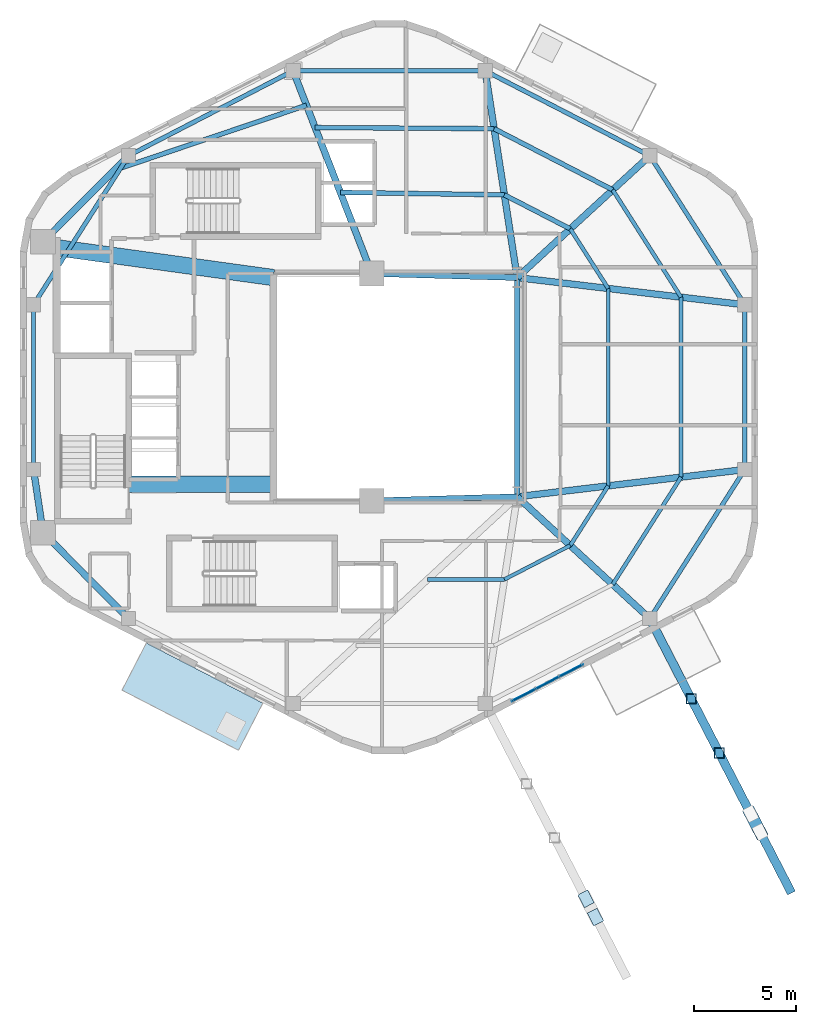
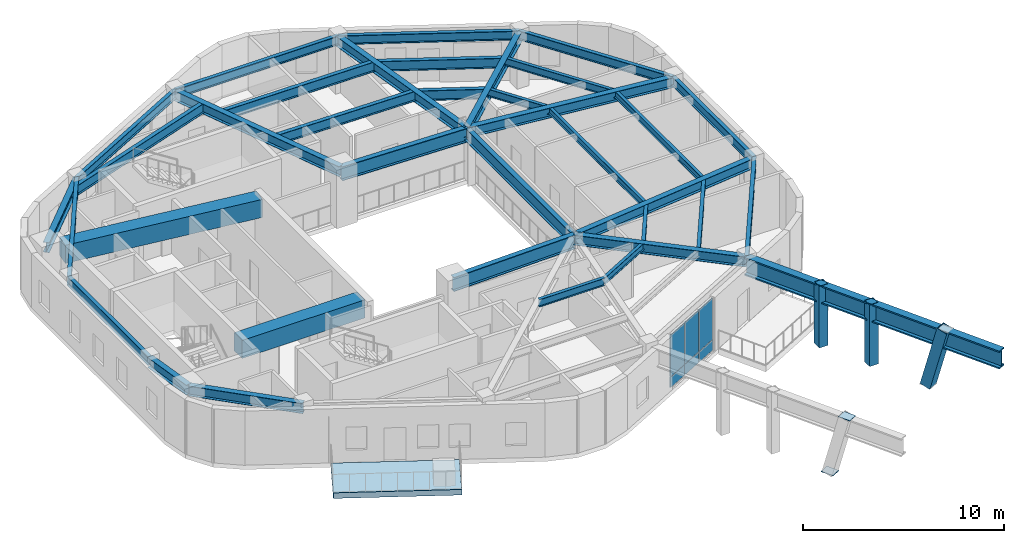
# One storey, part 4 of 10: 36 beams, 8 plates, 3 members, 1 slab, 1 element without a shape of its own.
"""IFC4 building model written with IfcOpenShell, lengths in metres."""

from ifc_helpers import new_model, si_unit, direction, frame, origin, origin_2d, place, context, subcontext, project, spatial, polyline, rectangle, hollow_rectangle, i_section, outline, extrude, material, layer, layer_set, material_profile, profile_set, type_object, element, aggregate, save


model = new_model("IFC4")

# Units and contexts
model_context = context("Model", 3, precision=1e-05, world=origin(), true_north=direction((0.0, 1.0)))
body_context = subcontext(model_context, "Body", "Model", "MODEL_VIEW")
ifc_project = project(units=[si_unit("LENGTHUNIT", "METRE"), si_unit("AREAUNIT", "SQUARE_METRE"), si_unit("VOLUMEUNIT", "CUBIC_METRE"), si_unit("PLANEANGLEUNIT", "RADIAN"), si_unit("MASSUNIT", "GRAM", prefix="KILO"), si_unit("THERMODYNAMICTEMPERATUREUNIT", "KELVIN"), si_unit("POWERUNIT", "WATT")], contexts=[model_context])

# Site, building, storey
site_placement = place(None, origin())
site = spatial("IfcSite", under=ifc_project, at=site_placement, CompositionType="ELEMENT")
building_placement = place(site_placement, origin())
building = spatial("IfcBuilding", under=site, at=building_placement, Name="Skarre Station Tower", CompositionType="ELEMENT")
storey_placement = place(building_placement, frame((0.0, 0.0, 227.699951171875)))
storey = spatial("IfcBuildingStorey", under=building, at=storey_placement, Name="L62", CompositionType="ELEMENT", Elevation=227.699951171875)

# Beams
ifc_material_1 = material(Name="Concrete C70/85", Category="concrete")
ifc_material_profile_1 = material_profile(ifc_material_1, rectangle(XDim=0.800048828125, YDim=1.10009765625, at=origin_2d()), Name="Concrete C70/85")
ifc_profile_set_1 = profile_set([ifc_material_profile_1], Name="Concrete C70/85")
beam_type_1 = type_object("IfcBeamType", Name="RC Core Coupling Lintel 800x1100", PredefinedType="LINTEL", material=ifc_profile_set_1)
beam_1_placement = place(storey_placement, frame((20.489990234375, 19.260009765625, 2.739990234375), z_axis=(1.0, 0.0, 0.0), x_axis=(0.0, 1.0, 0.0)))
element("IfcBeam", 1, at=beam_1_placement, inside=storey, type_object=beam_type_1, Name="L62 South Core Coupling Lintel", PredefinedType="LINTEL", context=body_context, shape_type="SweptSolid", body=[
    extrude(rectangle(XDim=0.800048828125, YDim=1.10009765625, at=origin_2d()), origin(), (0.0, 0.0, 1.0), 7.06005859375),
])
beam_2_placement = place(storey_placement, frame((17.050048828125, 30.800048828125, 2.739990234375), z_axis=(0.990599723633, -0.136792498109, 0.0), x_axis=(0.136792498109, 0.990599723633, 0.0)))
element("IfcBeam", 2, at=beam_2_placement, inside=storey, type_object=beam_type_1, Name="L62 North Core Coupling Lintel", PredefinedType="LINTEL", context=body_context, shape_type="SweptSolid", body=[
    extrude(rectangle(XDim=0.800048828125, YDim=1.10009765625, at=origin_2d()), origin(), (0.0, 0.0, 1.0), 10.599609375),
])
ifc_material_2 = material(Name="Steel ASTM A992 Grade 50", Category="steel")
ifc_material_profile_2 = material_profile(ifc_material_2, i_section(OverallWidth=0.323974609375, OverallDepth=0.611083984375, WebThickness=0.012939453125, FlangeThickness=0.01904296875, at=origin_2d()), Name="Steel ASTM A992 Grade 50")
ifc_profile_set_2 = profile_set([ifc_material_profile_2], Name="Steel ASTM A992 Grade 50")
beam_type_2 = type_object("IfcBeamType", Name="Steel Beam W24X104", PredefinedType="BEAM", material=ifc_profile_set_2)
beam_3_placement = place(storey_placement, frame((39.449951171875, 29.35009765625, 2.985107421875), z_axis=(0.736547671183, 0.676385635621, 0.0), x_axis=(-0.676385635621, 0.736547671183, 0.0)))
element("IfcBeam", 3, at=beam_3_placement, inside=storey, type_object=beam_type_2, Name="L62 Radial Floor Girder F0C1", PredefinedType="BEAM", context=body_context, shape_type="SweptSolid", body=[
    extrude(i_section(OverallWidth=0.323974609375, OverallDepth=0.611083984375, WebThickness=0.012939453125, FlangeThickness=0.01904296875, at=origin_2d()), origin(), (0.0, 0.0, 1.0), 8.793701171875),
])
beam_4_placement = place(storey_placement, frame((39.449951171875, 29.35009765625, 2.985107421875), z_axis=(-0.152789762931, 0.988258715288, 0.0), x_axis=(-0.988258715288, -0.152789762931, 0.0)))
element("IfcBeam", 4, at=beam_4_placement, inside=storey, type_object=beam_type_2, Name="L62 Radial Floor Girder F0C2", PredefinedType="BEAM", context=body_context, shape_type="SweptSolid", body=[
    extrude(i_section(OverallWidth=0.323974609375, OverallDepth=0.611083984375, WebThickness=0.012939453125, FlangeThickness=0.01904296875, at=origin_2d()), origin(), (0.0, 0.0, 1.0), 10.216796875),
])
beam_5_placement = place(storey_placement, frame((32.35009765625, 29.550048828125, 2.985107421875), z_axis=(-0.361651478681, 0.932313363611, 0.0), x_axis=(-0.932313363611, -0.361651478681, 0.0)))
element("IfcBeam", 5, at=beam_5_placement, inside=storey, type_object=beam_type_2, Name="L62 Radial Floor Girder F1C1", PredefinedType="BEAM", context=body_context, shape_type="SweptSolid", body=[
    extrude(i_section(OverallWidth=0.323974609375, OverallDepth=0.611083984375, WebThickness=0.012939453125, FlangeThickness=0.01904296875, at=origin_2d()), origin(), (0.0, 0.0, 1.0), 10.615478515625),
])
beam_6_placement = place(storey_placement, frame((16.300048828125, 31.10009765625, 2.985107421875), z_axis=(0.704979413242, 0.709227768002, 0.0), x_axis=(-0.709227768002, 0.704979413242, 0.0)))
element("IfcBeam", 6, at=beam_6_placement, inside=storey, type_object=beam_type_2, Name="L62 Radial Floor Girder F1C2", PredefinedType="BEAM", context=body_context, shape_type="SweptSolid", body=[
    extrude(i_section(OverallWidth=0.323974609375, OverallDepth=0.611083984375, WebThickness=0.012939453125, FlangeThickness=0.01904296875, at=origin_2d()), origin(), (0.0, 0.0, 1.0), 5.919189453125),
])
beam_7_placement = place(storey_placement, frame((16.300048828125, 16.89990234375, 2.985107421875), z_axis=(-0.148739188492, 0.988876460336, 0.0), x_axis=(-0.988876460336, -0.148739188492, 0.0)))
element("IfcBeam", 7, at=beam_7_placement, inside=storey, type_object=beam_type_2, Name="L62 Radial Floor Girder F2C2", PredefinedType="BEAM", context=body_context, shape_type="SweptSolid", body=[
    extrude(i_section(OverallWidth=0.323974609375, OverallDepth=0.611083984375, WebThickness=0.012939453125, FlangeThickness=0.01904296875, at=origin_2d()), origin(), (0.0, 0.0, 1.0), 3.11376953125),
])
beam_8_placement = place(storey_placement, frame((16.300048828125, 16.89990234375, 2.985107421875), z_axis=(0.704979413242, -0.709227768002, 0.0), x_axis=(0.709227768002, 0.704979413242, 0.0)))
element("IfcBeam", 8, at=beam_8_placement, inside=storey, type_object=beam_type_2, Name="L62 Radial Floor Girder F3C1", PredefinedType="BEAM", context=body_context, shape_type="SweptSolid", body=[
    extrude(i_section(OverallWidth=0.323974609375, OverallDepth=0.611083984375, WebThickness=0.012939453125, FlangeThickness=0.01904296875, at=origin_2d()), origin(), (0.0, 0.0, 1.0), 5.919189453125),
])
beam_9_placement = place(storey_placement, frame((39.449951171875, 18.64990234375, 2.985107421875), z_axis=(0.736547671183, -0.676385635621, 0.0), x_axis=(0.676385635621, 0.736547671183, 0.0)))
element("IfcBeam", 9, at=beam_9_placement, inside=storey, type_object=beam_type_2, Name="L62 Radial Floor Girder F4C2", PredefinedType="BEAM", context=body_context, shape_type="SweptSolid", body=[
    extrude(i_section(OverallWidth=0.323974609375, OverallDepth=0.611083984375, WebThickness=0.012939453125, FlangeThickness=0.01904296875, at=origin_2d()), origin(), (0.0, 0.0, 1.0), 8.793701171875),
])
for number, where, z_axis, x_axis, name in (
    (10, (39.449951171875, 18.64990234375, 2.985107421875), (0.99292393128, 0.118752122891, 0.0), (-0.118752122891, 0.99292393128, 0.0), "L62 Radial Floor Girder F5C1"),
    (11, (39.449951171875, 29.35009765625, 2.985107421875), (0.99292393128, -0.118752122891, 0.0), (0.118752122891, 0.99292393128, 0.0), "L62 Radial Floor Girder F5C2"),
):
    element("IfcBeam", number, at=place(storey_placement, frame(where, z_axis=z_axis, x_axis=x_axis)), inside=storey, type_object=beam_type_2, Name=name, PredefinedType="BEAM", context=body_context, shape_type="SweptSolid", body=[
        extrude(i_section(OverallWidth=0.323974609375, OverallDepth=0.611083984375, WebThickness=0.012939453125, FlangeThickness=0.01904296875, at=origin_2d()), origin(), (0.0, 0.0, 1.0), 11.192138671875),
    ])
ifc_material_profile_3 = material_profile(ifc_material_2, i_section(OverallWidth=0.26806640625, OverallDepth=0.77001953125, WebThickness=0.01611328125, FlangeThickness=0.02490234375, at=origin_2d()), Name="Steel ASTM A992 Grade 50")
ifc_profile_set_3 = profile_set([ifc_material_profile_3], Name="Steel ASTM A992 Grade 50")
beam_type_3 = type_object("IfcBeamType", Name="Steel Beam W30X132", PredefinedType="BEAM", material=ifc_profile_set_3)
beam_10_placement = place(storey_placement, frame((39.449951171875, 18.64990234375, 2.905029296875), z_axis=(0.0, 1.0, 0.0), x_axis=(-1.0, 0.0, 0.0)))
element("IfcBeam", 12, at=beam_10_placement, inside=storey, type_object=beam_type_3, Name="L62 Atrium East Edge Girder", PredefinedType="BEAM", context=body_context, shape_type="SweptSolid", body=[
    extrude(i_section(OverallWidth=0.26806640625, OverallDepth=0.77001953125, WebThickness=0.01611328125, FlangeThickness=0.02490234375, at=origin_2d()), origin(), (0.0, 0.0, 1.0), 10.7001953125),
])
ifc_material_profile_4 = material_profile(ifc_material_2, i_section(OverallWidth=0.2919921875, OverallDepth=0.85888671875, WebThickness=0.01708984375, FlangeThickness=0.031005859375, at=origin_2d()), Name="Steel ASTM A992 Grade 50")
ifc_profile_set_4 = profile_set([ifc_material_profile_4], Name="Steel ASTM A992 Grade 50")
beam_type_4 = type_object("IfcBeamType", Name="Steel Beam W33X169", PredefinedType="BEAM", material=ifc_profile_set_4)
for number, where, z_axis, x_axis, name in (
    (13, (32.35009765625, 18.449951171875, 2.861083984375), (0.999603666405, 0.028151556095, 0.0), (-0.028151556095, 0.999603666405, 0.0), "L62 Atrium South Edge Girder"),
    (14, (32.35009765625, 29.550048828125, 2.861083984375), (0.999603666405, -0.028151556095, 0.0), (0.028151556095, 0.999603666405, 0.0), "L62 Atrium North Edge Girder"),
):
    element("IfcBeam", number, at=place(storey_placement, frame(where, z_axis=z_axis, x_axis=x_axis)), inside=storey, type_object=beam_type_4, Name=name, PredefinedType="BEAM", context=body_context, shape_type="SweptSolid", body=[
        extrude(i_section(OverallWidth=0.2919921875, OverallDepth=0.85888671875, WebThickness=0.01708984375, FlangeThickness=0.031005859375, at=origin_2d()), origin(), (0.0, 0.0, 1.0), 7.102783203125),
    ])
ifc_material_profile_5 = material_profile(ifc_material_2, i_section(OverallWidth=0.177978515625, OverallDepth=0.403076171875, WebThickness=0.008056640625, FlangeThickness=0.010986328125, at=origin_2d()), Name="Steel ASTM A992 Grade 50")
ifc_profile_set_5 = profile_set([ifc_material_profile_5], Name="Steel ASTM A992 Grade 50")
beam_type_5 = type_object("IfcBeamType", Name="Steel Joist W16X36", PredefinedType="JOIST", material=ifc_profile_set_5)
beam_11_placement = place(storey_placement, frame((38.825927734375, 14.611083984375, 3.088134765625), z_axis=(0.888562989562, 0.458754633308, 0.0), x_axis=(-0.458754633308, 0.888562989562, 0.0)))
element("IfcBeam", 15, at=beam_11_placement, inside=storey, type_object=beam_type_5, Name="L62 Auxiliary Composite Joist 11", PredefinedType="JOIST", context=body_context, shape_type="SweptSolid", body=[
    extrude(i_section(OverallWidth=0.177978515625, OverallDepth=0.403076171875, WebThickness=0.008056640625, FlangeThickness=0.010986328125, at=origin_2d()), origin(), (0.0, 0.0, 1.0), 3.618408203125),
])
beam_12_placement = place(storey_placement, frame((43.89501953125, 19.181884765625, 3.088134765625), z_axis=(0.0, 1.0, 0.0), x_axis=(-1.0, 0.0, 0.0)))
element("IfcBeam", 16, at=beam_12_placement, inside=storey, type_object=beam_type_5, Name="L62 Auxiliary Composite Joist 15", PredefinedType="JOIST", context=body_context, shape_type="SweptSolid", body=[
    extrude(i_section(OverallWidth=0.177978515625, OverallDepth=0.403076171875, WebThickness=0.008056640625, FlangeThickness=0.010986328125, at=origin_2d()), origin(), (0.0, 0.0, 1.0), 9.63623046875),
])
beam_13_placement = place(storey_placement, frame((47.450927734375, 19.60693359375, 3.088134765625), z_axis=(0.0, 1.0, 0.0), x_axis=(-1.0, 0.0, 0.0)))
element("IfcBeam", 17, at=beam_13_placement, inside=storey, type_object=beam_type_5, Name="L62 Auxiliary Composite Joist 16", PredefinedType="JOIST", context=body_context, shape_type="SweptSolid", body=[
    extrude(i_section(OverallWidth=0.177978515625, OverallDepth=0.403076171875, WebThickness=0.008056640625, FlangeThickness=0.010986328125, at=origin_2d()), origin(), (0.0, 0.0, 1.0), 8.7861328125),
])
ifc_material_profile_6 = material_profile(ifc_material_2, i_section(OverallWidth=0.19091796875, OverallDepth=0.45703125, WebThickness=0.009033203125, FlangeThickness=0.013916015625, at=origin_2d()), Name="Steel ASTM A992 Grade 50")
ifc_profile_set_6 = profile_set([ifc_material_profile_6], Name="Steel ASTM A992 Grade 50")
beam_type_6 = type_object("IfcBeamType", Name="Steel Joist W18X50", PredefinedType="JOIST", material=ifc_profile_set_6)
beam_14_placement = place(storey_placement, frame((35.073974609375, 14.611083984375, 3.06201171875), z_axis=(1.0, 0.0, 0.0), x_axis=(0.0, 1.0, 0.0)))
element("IfcBeam", 18, at=beam_14_placement, inside=storey, type_object=beam_type_6, Name="L62 Auxiliary Composite Joist 9", PredefinedType="JOIST", context=body_context, shape_type="SweptSolid", body=[
    extrude(i_section(OverallWidth=0.19091796875, OverallDepth=0.45703125, WebThickness=0.009033203125, FlangeThickness=0.013916015625, at=origin_2d()), origin(), (0.0, 0.0, 1.0), 3.751953125),
])
beam_15_placement = place(storey_placement, frame((42.041015625, 16.27099609375, 3.06201171875), z_axis=(0.537209598798, 0.843448781468, 0.0), x_axis=(-0.843448781468, 0.537209598798, 0.0)))
element("IfcBeam", 19, at=beam_15_placement, inside=storey, type_object=beam_type_6, Name="L62 Auxiliary Composite Joist 13", PredefinedType="JOIST", context=body_context, shape_type="SweptSolid", body=[
    extrude(i_section(OverallWidth=0.19091796875, OverallDepth=0.45703125, WebThickness=0.009033203125, FlangeThickness=0.013916015625, at=origin_2d()), origin(), (0.0, 0.0, 1.0), 3.451171875),
])
beam_16_placement = place(storey_placement, frame((44.113037109375, 14.366943359375, 3.06201171875), z_axis=(0.537259384828, 0.843417069672, 0.0), x_axis=(-0.843417069672, 0.537259384828, 0.0)))
element("IfcBeam", 20, at=beam_16_placement, inside=storey, type_object=beam_type_6, Name="L62 Auxiliary Composite Joist 14", PredefinedType="JOIST", context=body_context, shape_type="SweptSolid", body=[
    extrude(i_section(OverallWidth=0.19091796875, OverallDepth=0.45703125, WebThickness=0.009033203125, FlangeThickness=0.013916015625, at=origin_2d()), origin(), (0.0, 0.0, 1.0), 6.212890625),
])
beam_17_placement = place(storey_placement, frame((43.89501953125, 28.818115234375, 3.06201171875), z_axis=(-0.537209598798, 0.843448781468, 0.0), x_axis=(-0.843448781468, -0.537209598798, 0.0)))
element("IfcBeam", 21, at=beam_17_placement, inside=storey, type_object=beam_type_6, Name="L62 Auxiliary Composite Joist 17", PredefinedType="JOIST", context=body_context, shape_type="SweptSolid", body=[
    extrude(i_section(OverallWidth=0.19091796875, OverallDepth=0.45703125, WebThickness=0.009033203125, FlangeThickness=0.013916015625, at=origin_2d()), origin(), (0.0, 0.0, 1.0), 3.451171875),
])
beam_18_placement = place(storey_placement, frame((47.450927734375, 28.39306640625, 3.06201171875), z_axis=(-0.537259384828, 0.843417069672, 0.0), x_axis=(-0.843417069672, -0.537259384828, 0.0)))
element("IfcBeam", 22, at=beam_18_placement, inside=storey, type_object=beam_type_6, Name="L62 Auxiliary Composite Joist 18", PredefinedType="JOIST", context=body_context, shape_type="SweptSolid", body=[
    extrude(i_section(OverallWidth=0.19091796875, OverallDepth=0.45703125, WebThickness=0.009033203125, FlangeThickness=0.013916015625, at=origin_2d()), origin(), (0.0, 0.0, 1.0), 6.212890625),
])
ifc_material_profile_7 = material_profile(ifc_material_2, i_section(OverallWidth=0.22802734375, OverallDepth=0.60791015625, WebThickness=0.010986328125, FlangeThickness=0.01708984375, at=origin_2d()), Name="Steel ASTM A992 Grade 50")
ifc_profile_set_7 = profile_set([ifc_material_profile_7], Name="Steel ASTM A992 Grade 50")
beam_type_7 = type_object("IfcBeamType", Name="Steel Joist W24X76", PredefinedType="JOIST", material=ifc_profile_set_7)
beam_19_placement = place(storey_placement, frame((42.041015625, 31.72900390625, 2.986083984375), z_axis=(-0.888562989562, 0.458754633308, 0.0), x_axis=(-0.458754633308, -0.888562989562, 0.0)))
element("IfcBeam", 23, at=beam_19_placement, inside=storey, type_object=beam_type_7, Name="L62 Secondary Floor Joist 1", PredefinedType="JOIST", context=body_context, shape_type="SweptSolid", body=[
    extrude(i_section(OverallWidth=0.22802734375, OverallDepth=0.60791015625, WebThickness=0.010986328125, FlangeThickness=0.01708984375, at=origin_2d()), origin(), (0.0, 0.0, 1.0), 3.618408203125),
])
beam_20_placement = place(storey_placement, frame((44.113037109375, 33.633056640625, 2.986083984375), z_axis=(-0.888610306875, 0.458662972689, 0.0), x_axis=(-0.458662972689, -0.888610306875, 0.0)))
element("IfcBeam", 24, at=beam_20_placement, inside=storey, type_object=beam_type_7, Name="L62 Secondary Floor Joist 2", PredefinedType="JOIST", context=body_context, shape_type="SweptSolid", body=[
    extrude(i_section(OverallWidth=0.22802734375, OverallDepth=0.60791015625, WebThickness=0.010986328125, FlangeThickness=0.01708984375, at=origin_2d()), origin(), (0.0, 0.0, 1.0), 6.512451171875),
])
beam_21_placement = place(storey_placement, frame((38.825927734375, 33.388916015625, 2.986083984375), z_axis=(-0.999887635467, 0.014990545042, 0.0), x_axis=(-0.014990545042, -0.999887635467, 0.0)))
element("IfcBeam", 25, at=beam_21_placement, inside=storey, type_object=beam_type_7, Name="L62 Secondary Floor Joist 3", PredefinedType="JOIST", context=body_context, shape_type="SweptSolid", body=[
    extrude(i_section(OverallWidth=0.22802734375, OverallDepth=0.60791015625, WebThickness=0.010986328125, FlangeThickness=0.01708984375, at=origin_2d()), origin(), (0.0, 0.0, 1.0), 8.012939453125),
])
beam_22_placement = place(storey_placement, frame((38.325927734375, 36.6201171875, 2.986083984375), z_axis=(-0.999979540932, 0.006396695854, 0.0), x_axis=(-0.006396695854, -0.999979540932, 0.0)))
element("IfcBeam", 26, at=beam_22_placement, inside=storey, type_object=beam_type_7, Name="L62 Secondary Floor Joist 4", PredefinedType="JOIST", context=body_context, shape_type="SweptSolid", body=[
    extrude(i_section(OverallWidth=0.22802734375, OverallDepth=0.60791015625, WebThickness=0.010986328125, FlangeThickness=0.01708984375, at=origin_2d()), origin(), (0.0, 0.0, 1.0), 8.740234375),
])
beam_23_placement = place(storey_placement, frame((29.1640625, 37.764892578125, 2.986083984375), z_axis=(-0.947236771085, -0.320534708736, 0.0), x_axis=(0.320534708736, -0.947236771085, 0.0)))
element("IfcBeam", 27, at=beam_23_placement, inside=storey, type_object=beam_type_7, Name="L62 Secondary Floor Joist 6", PredefinedType="JOIST", context=body_context, shape_type="SweptSolid", body=[
    extrude(i_section(OverallWidth=0.22802734375, OverallDepth=0.60791015625, WebThickness=0.010986328125, FlangeThickness=0.01708984375, at=origin_2d()), origin(), (0.0, 0.0, 1.0), 9.923828125),
])
ifc_material_profile_8 = material_profile(ifc_material_2, i_section(OverallWidth=0.214111328125, OverallDepth=0.549072265625, WebThickness=0.014892578125, FlangeThickness=0.02392578125, at=origin_2d()), Name="Steel ASTM A992 Grade 50")
ifc_profile_set_8 = profile_set([ifc_material_profile_8], Name="Steel ASTM A992 Grade 50")
beam_type_8 = type_object("IfcBeamType", Name="Steel Spandrel W21X93", PredefinedType="SPANDREL", material=ifc_profile_set_8)
beam_24_placement = place(storey_placement, frame((45.927001953125, 35.298095703125, 3.01611328125), z_axis=(-0.888610011727, 0.458663544505, 0.0), x_axis=(-0.458663544505, -0.888610011727, 0.0)))
element("IfcBeam", 28, at=beam_24_placement, inside=storey, type_object=beam_type_8, Name="L62 Facet Spandrel Beam 1", PredefinedType="SPANDREL", context=body_context, shape_type="SweptSolid", body=[
    extrude(i_section(OverallWidth=0.214111328125, OverallDepth=0.549072265625, WebThickness=0.014892578125, FlangeThickness=0.02392578125, at=origin_2d()), origin(), (0.0, 0.0, 1.0), 9.045654296875),
])
beam_25_placement = place(storey_placement, frame((37.888916015625, 39.447021484375, 3.01611328125), z_axis=(-1.0, 0.0, 0.0), x_axis=(0.0, -1.0, 0.0)))
element("IfcBeam", 29, at=beam_25_placement, inside=storey, type_object=beam_type_8, Name="L62 Facet Spandrel Beam 2", PredefinedType="SPANDREL", context=body_context, shape_type="SweptSolid", body=[
    extrude(i_section(OverallWidth=0.214111328125, OverallDepth=0.549072265625, WebThickness=0.014892578125, FlangeThickness=0.02392578125, at=origin_2d()), origin(), (0.0, 0.0, 1.0), 9.3779296875),
])
beam_26_placement = place(storey_placement, frame((28.510986328125, 39.447021484375, 3.01611328125), z_axis=(-0.888610011727, -0.458663544505, 0.0), x_axis=(0.458663544505, -0.888610011727, 0.0)))
element("IfcBeam", 30, at=beam_26_placement, inside=storey, type_object=beam_type_8, Name="L62 Facet Spandrel Beam 3", PredefinedType="SPANDREL", context=body_context, shape_type="SweptSolid", body=[
    extrude(i_section(OverallWidth=0.214111328125, OverallDepth=0.549072265625, WebThickness=0.014892578125, FlangeThickness=0.02392578125, at=origin_2d()), origin(), (0.0, 0.0, 1.0), 9.045654296875),
])
beam_27_placement = place(storey_placement, frame((20.472900390625, 35.298095703125, 3.01611328125), z_axis=(-0.537296523663, -0.843393410965, 0.0), x_axis=(0.843393410965, -0.537296523663, 0.0)))
element("IfcBeam", 31, at=beam_27_placement, inside=storey, type_object=beam_type_8, Name="L62 Facet Spandrel Beam 4", PredefinedType="SPANDREL", context=body_context, shape_type="SweptSolid", body=[
    extrude(i_section(OverallWidth=0.214111328125, OverallDepth=0.549072265625, WebThickness=0.014892578125, FlangeThickness=0.02392578125, at=origin_2d()), origin(), (0.0, 0.0, 1.0), 8.62841796875),
])
beam_28_placement = place(storey_placement, frame((15.8369140625, 28.02099609375, 3.01611328125), z_axis=(0.0, -1.0, 0.0), x_axis=(1.0, 0.0, 0.0)))
element("IfcBeam", 32, at=beam_28_placement, inside=storey, type_object=beam_type_8, Name="L62 Facet Spandrel Beam 5", PredefinedType="SPANDREL", context=body_context, shape_type="SweptSolid", body=[
    extrude(i_section(OverallWidth=0.214111328125, OverallDepth=0.549072265625, WebThickness=0.014892578125, FlangeThickness=0.02392578125, at=origin_2d()), origin(), (0.0, 0.0, 1.0), 8.0419921875),
])
beam_29_placement = place(storey_placement, frame((45.927001953125, 12.701904296875, 3.01611328125), z_axis=(0.537296523663, 0.843393410965, 0.0), x_axis=(-0.843393410965, 0.537296523663, 0.0)))
element("IfcBeam", 33, at=beam_29_placement, inside=storey, type_object=beam_type_8, Name="L62 Facet Spandrel Beam 10", PredefinedType="SPANDREL", context=body_context, shape_type="SweptSolid", body=[
    extrude(i_section(OverallWidth=0.214111328125, OverallDepth=0.549072265625, WebThickness=0.014892578125, FlangeThickness=0.02392578125, at=origin_2d()), origin(), (0.0, 0.0, 1.0), 8.62841796875),
])
beam_30_placement = place(storey_placement, frame((50.56298828125, 19.97900390625, 3.01611328125), z_axis=(0.0, 1.0, 0.0), x_axis=(-1.0, 0.0, 0.0)))
element("IfcBeam", 34, at=beam_30_placement, inside=storey, type_object=beam_type_8, Name="L62 Facet Spandrel Beam 11", PredefinedType="SPANDREL", context=body_context, shape_type="SweptSolid", body=[
    extrude(i_section(OverallWidth=0.214111328125, OverallDepth=0.549072265625, WebThickness=0.014892578125, FlangeThickness=0.02392578125, at=origin_2d()), origin(), (0.0, 0.0, 1.0), 8.0419921875),
])
beam_31_placement = place(storey_placement, frame((50.56298828125, 28.02099609375, 3.01611328125), z_axis=(-0.537296523663, 0.843393410965, 0.0), x_axis=(-0.843393410965, -0.537296523663, 0.0)))
element("IfcBeam", 35, at=beam_31_placement, inside=storey, type_object=beam_type_8, Name="L62 Facet Spandrel Beam 12", PredefinedType="SPANDREL", context=body_context, shape_type="SweptSolid", body=[
    extrude(i_section(OverallWidth=0.214111328125, OverallDepth=0.549072265625, WebThickness=0.014892578125, FlangeThickness=0.02392578125, at=origin_2d()), origin(), (0.0, 0.0, 1.0), 8.62841796875),
])
ifc_material_3 = material(Name="Steel ASTM A913 Grade 65", Category="steel")
ifc_material_profile_9 = material_profile(ifc_material_3, i_section(OverallWidth=0.424072265625, OverallDepth=1.092041015625, WebThickness=0.044921875, FlangeThickness=0.08203125, at=origin_2d()), Name="Steel ASTM A913 Grade 65")
ifc_profile_set_9 = profile_set([ifc_material_profile_9], Name="Steel ASTM A913 Grade 65")
beam_type_9 = type_object("IfcBeamType", Name="Steel Transfer Girder W40X593", PredefinedType="USERDEFINED", material=ifc_profile_set_9)
beam_32_placement = place(storey_placement, frame((45.927001953125, 12.701904296875, 2.744140625), z_axis=(0.458690756979, -0.888595965252, 0.0), x_axis=(0.888595965252, 0.458690756979, 0.0)))
element("IfcBeam", 36, at=beam_32_placement, inside=storey, type_object=beam_type_9, Name="L62 SB-5 Exoskeleton Tier-3 Transfer Girder S2", ObjectType="TRANSFER_GIRDER", PredefinedType="USERDEFINED", context=body_context, shape_type="SweptSolid", body=[
    extrude(i_section(OverallWidth=0.424072265625, OverallDepth=1.092041015625, WebThickness=0.044921875, FlangeThickness=0.08203125, at=origin_2d()), origin(), (0.0, 0.0, 1.0), 15.079833984375),
])

# Members
ifc_material_4 = material(Name="Steel ASTM A501 Grade B", Category="steel")
ifc_material_profile_10 = material_profile(ifc_material_4, hollow_rectangle(XDim=0.5, YDim=0.5, WallThickness=0.02490234375, at=origin_2d()), Name="Steel ASTM A501 Grade B")
ifc_profile_set_10 = profile_set([ifc_material_profile_10], Name="Steel ASTM A501 Grade B")
member_type_1 = type_object("IfcMemberType", Name="Steel Truss Strut HSS500X500X25", PredefinedType="STRUT", material=ifc_profile_set_10)
for number, where, z_axis, x_axis, name in (
    (37, (47.945068359375, 8.7919921875, -0.43994140625), (0.0, 0.0, 1.0), (1.0, 0.0, 0.0), "L62 SB-5 Exoskeleton Post Tier 3-1 S2"),
    (38, (49.31201171875, 6.14404296875, -0.43994140625), (0.0, 0.0, 1.0), (1.0, 0.0, 0.0), "L62 SB-5 Exoskeleton Post Tier 3-2 S2"),
):
    element("IfcMember", number, at=place(storey_placement, frame(where, z_axis=z_axis, x_axis=x_axis)), inside=storey, type_object=member_type_1, Name=name, PredefinedType="STRUT", context=body_context, shape_type="SweptSolid", body=[
        extrude(hollow_rectangle(XDim=0.5, YDim=0.5, WallThickness=0.02490234375, at=origin_2d()), origin(), (0.0, 0.0, 1.0), 3.72998046875),
    ])
ifc_material_profile_11 = material_profile(ifc_material_4, hollow_rectangle(XDim=0.60009765625, YDim=0.60009765625, WallThickness=0.028076171875, at=origin_2d()), Name="Steel ASTM A501 Grade B")
ifc_profile_set_11 = profile_set([ifc_material_profile_11], Name="Steel ASTM A501 Grade B")
member_type_2 = type_object("IfcMemberType", Name="Steel Truss Strut HSS600X600X28", PredefinedType="STRUT", material=ifc_profile_set_11)
member_placement = place(storey_placement, frame((50.84912109375, 3.16796875, -0.43994140625), z_axis=(0.118852073593, -0.230181063803, 0.965862755504), x_axis=(0.888543643112, 0.458792103557, 0.0)))
element("IfcMember", 39, at=member_placement, inside=storey, type_object=member_type_2, Name="L62 SB-5 Exoskeleton Raking Strut Tier 3 S2", PredefinedType="STRUT", context=body_context, shape_type="SweptSolid", body=[
    extrude(hollow_rectangle(XDim=0.60009765625, YDim=0.60009765625, WallThickness=0.028076171875, at=origin_2d()), origin(), (0.0, 0.0, 1.0), 3.86181640625),
])

# Curtain wall, plates
ifc_material_5 = material(Name="Thermally Broken Bronze-Anodized Aluminium & Triple Low-E Glass", Category="aluminium")
ifc_layer_1 = layer(ifc_material_5, 0.18994140625, Name="Thermally Broken Bronze-Anodized Aluminium & Triple Low-E Glass")
ifc_layer_set_1 = layer_set([ifc_layer_1], Name="Thermally Broken Bronze-Anodized Aluminium & Triple Low-E Glass")
curtain_wall_type = type_object("IfcCurtainWallType", Name="Sky-Garden Setback Conservatory Curtain Wall", PredefinedType="NOTDEFINED", material=ifc_layer_set_1)
curtain_wall_placement = place(storey_placement, origin())
curtain_wall = element("IfcCurtainWall", 40, at=curtain_wall_placement, inside=storey, type_object=curtain_wall_type, Name="L62 Facet 4 Conservatory Curtain Wall", PredefinedType="NOTDEFINED")
ifc_material_6 = material(Name="Insulated Bronze Anodized Aluminium Spandrel", Category="aluminium")
ifc_layer_2 = layer(ifc_material_6, 0.052001953125, Name="Insulated Bronze Anodized Aluminium Spandrel")
ifc_layer_set_2 = layer_set([ifc_layer_2], Name="Insulated Bronze Anodized Aluminium Spandrel")
plate_type_1 = type_object("IfcPlateType", Name="Bronze Insulated Spandrel Sheet Panel 52", PredefinedType="SHEET", material=ifc_layer_set_2)
plate_1_placement = place(storey_placement, frame((42.090087890625, 10.1650390625, 0.05224609375), z_axis=(0.0, 0.0, 1.0), x_axis=(-0.88848110948, -0.458913192332, 0.0)))
plate_1 = element("IfcPlate", 41, at=plate_1_placement, type_object=plate_type_1, Name="L62 Facet 4 Conservatory Curtain Wall Spandrel Panel 1-1", PredefinedType="SHEET", context=body_context, shape_type="SweptSolid", body=[
    extrude(rectangle(XDim=1.282958984375, YDim=0.052001953125, at=origin_2d()), origin(), (0.0, 0.0, 1.0), 0.635986328125),
])
plate_2_placement = place(storey_placement, frame((40.929931640625, 9.56591796875, 0.05224609375), z_axis=(0.0, 0.0, 1.0), x_axis=(-0.88848110948, -0.458913192332, 0.0)))
plate_2 = element("IfcPlate", 42, at=plate_2_placement, type_object=plate_type_1, Name="L62 Facet 4 Conservatory Curtain Wall Spandrel Panel 2-1", PredefinedType="SHEET", context=body_context, shape_type="SweptSolid", body=[
    extrude(rectangle(XDim=1.282958984375, YDim=0.052001953125, at=origin_2d()), origin(), (0.0, 0.0, 1.0), 0.635986328125),
])
plate_3_placement = place(storey_placement, frame((39.76904296875, 8.966064453125, 0.05224609375), z_axis=(0.0, 0.0, 1.0), x_axis=(-0.88848110948, -0.458913192332, 0.0)))
plate_3 = element("IfcPlate", 43, at=plate_3_placement, type_object=plate_type_1, Name="L62 Facet 4 Conservatory Curtain Wall Spandrel Panel 3-1", PredefinedType="SHEET", context=body_context, shape_type="SweptSolid", body=[
    extrude(rectangle(XDim=1.282958984375, YDim=0.052001953125, at=origin_2d()), origin(), (0.0, 0.0, 1.0), 0.635986328125),
])

# Plates
ifc_material_7 = material(Name="Steel ASTM A572 Grade 50", Category="steel")
ifc_layer_3 = layer(ifc_material_7, 0.031982421875, Name="Steel ASTM A572 Grade 50")
ifc_layer_set_3 = layer_set([ifc_layer_3], Name="Steel ASTM A572 Grade 50")
plate_type_2 = type_object("IfcPlateType", Name="Exoskeleton Strut Cap Plate 700x540x32", PredefinedType="USERDEFINED", material=ifc_layer_set_3)
for number, where, z_axis, x_axis, name in (
    (44, (42.81103515625, -0.98095703125, -0.44580078125), (0.0, 0.0, 1.0), (0.458711590553, -0.88858521071, 0.0), "L62 SB-5 Exoskeleton Tier-3 Base Gusset S1"),
    (45, (43.27001953125, -1.8701171875, 3.26416015625), (0.0, 0.0, 1.0), (0.458711590553, -0.88858521071, 0.0), "L62 SB-5 Exoskeleton Tier-3 Head Gusset S1"),
):
    element("IfcPlate", number, at=place(storey_placement, frame(where, z_axis=z_axis, x_axis=x_axis)), inside=storey, type_object=plate_type_2, Name=name, ObjectType="STIFFENER_PLATE", PredefinedType="USERDEFINED", context=body_context, shape_type="SweptSolid", body=[
        extrude(rectangle(XDim=0.699951171875, YDim=0.5400390625, at=origin_2d()), origin(), (0.0, 0.0, 1.0), 0.031982421875),
    ])

# Slab
ifc_material_8 = material(Name="Precast concrete C50/60", Category="concrete")
ifc_layer_4 = layer(ifc_material_8, 0.340087890625, Name="Precast concrete C50/60")
ifc_layer_set_4 = layer_set([ifc_layer_4], Name="Precast concrete C50/60")
slab_type = type_object("IfcSlabType", Name="Planted Tree-Balcony Cantilever Slab 340", PredefinedType="FLOOR", material=ifc_layer_set_4)
slab_placement = place(storey_placement, frame((0.0, 0.0, -0.33984375)))
element("IfcSlab", 46, at=slab_placement, inside=storey, type_object=slab_type, Name="L62 Planted Tree-Balcony Deck TB-L62-F3", PredefinedType="FLOOR", context=body_context, shape_type="SweptSolid", body=[
    extrude(outline(polyline([(21.344970703125, 11.509033203125), (27.031982421875, 8.572998046875), (25.843994140625, 6.27197265625), (20.156982421875, 9.2080078125), (21.344970703125, 11.509033203125)])), origin(), (0.0, 0.0, 1.0), 0.33984375),
])

# Plate
ifc_material_9 = material(Name="Low-Iron Triple Insulating Glass Unit", Category="glass")
ifc_layer_5 = layer(ifc_material_9, 0.0439453125, Name="Low-Iron Triple Insulating Glass Unit")
ifc_layer_set_5 = layer_set([ifc_layer_5], Name="Low-Iron Triple Insulating Glass Unit")
plate_type_3 = type_object("IfcPlateType", Name="Triple-Glazed Vision Curtain Panel 44", PredefinedType="CURTAIN_PANEL", material=ifc_layer_set_5)
plate_4_placement = place(storey_placement, frame((42.090087890625, 10.1650390625, 0.712158203125), z_axis=(0.0, 0.0, 1.0), x_axis=(-0.88848110948, -0.458913192332, 0.0)))
plate_4 = element("IfcPlate", 47, at=plate_4_placement, type_object=plate_type_3, Name="L62 Facet 4 Conservatory Curtain Wall Vision Panel 1-2", PredefinedType="CURTAIN_PANEL", context=body_context, shape_type="SweptSolid", body=[
    extrude(rectangle(XDim=1.282958984375, YDim=0.0439453125, at=origin_2d()), origin(), (0.0, 0.0, 1.0), 2.52587890625),
])

plate_5_placement = place(storey_placement, frame((40.929931640625, 9.56591796875, 0.712158203125), z_axis=(0.0, 0.0, 1.0), x_axis=(-0.88848110948, -0.458913192332, 0.0)))
plate_5 = element("IfcPlate", 48, at=plate_5_placement, type_object=plate_type_3, Name="L62 Facet 4 Conservatory Curtain Wall Vision Panel 2-2", PredefinedType="CURTAIN_PANEL", context=body_context, shape_type="SweptSolid", body=[
    extrude(rectangle(XDim=1.282958984375, YDim=0.0439453125, at=origin_2d()), origin(), (0.0, 0.0, 1.0), 2.52587890625),
])

plate_6_placement = place(storey_placement, frame((39.76904296875, 8.966064453125, 0.712158203125), z_axis=(0.0, 0.0, 1.0), x_axis=(-0.88848110948, -0.458913192332, 0.0)))
plate_6 = element("IfcPlate", 49, at=plate_6_placement, type_object=plate_type_3, Name="L62 Facet 4 Conservatory Curtain Wall Vision Panel 3-2", PredefinedType="CURTAIN_PANEL", context=body_context, shape_type="SweptSolid", body=[
    extrude(rectangle(XDim=1.282958984375, YDim=0.0439453125, at=origin_2d()), origin(), (0.0, 0.0, 1.0), 2.52587890625),
])

aggregate(curtain_wall, [plate_1, plate_4, plate_2, plate_5, plate_3, plate_6])

save(model, "model.ifc")
